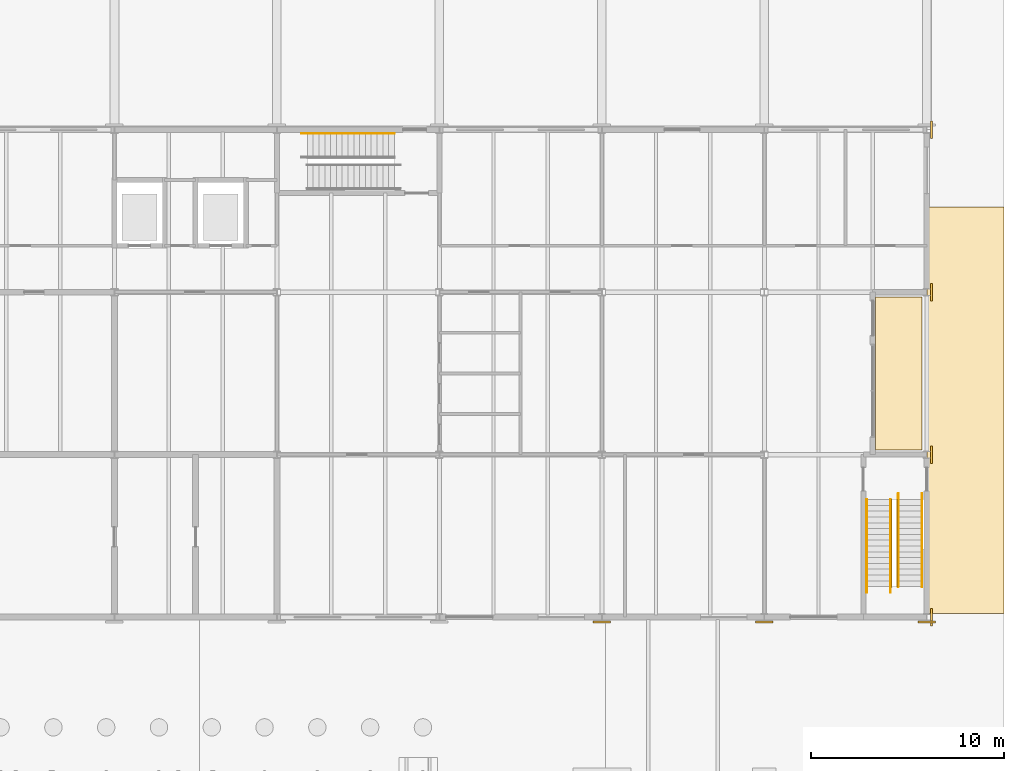
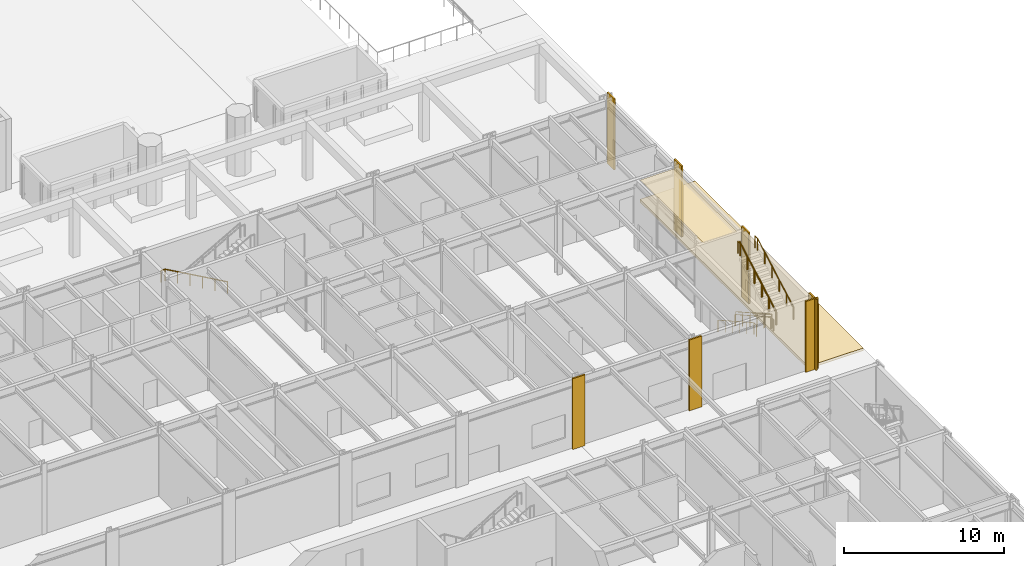
# One storey, part 112 of 127: 9 coverings, 7 railings.
"""IFC4 building model written with IfcOpenShell, lengths in metres."""

from ifc_helpers import new_model, si_unit, direction, frame, origin, origin_2d, place, context, subcontext, project, spatial, polyline, rectangle, circle, outline, extrude, material, layer, layer_set, type_object, element, save


model = new_model("IFC4")

# Units and contexts
model_context = context("Model", 3, precision=1e-05, world=origin(), true_north=direction((0.0, 1.0)))
body_context = subcontext(model_context, "Body", "Model", "MODEL_VIEW")
ifc_project = project(units=[si_unit("LENGTHUNIT", "METRE"), si_unit("AREAUNIT", "SQUARE_METRE"), si_unit("VOLUMEUNIT", "CUBIC_METRE"), si_unit("PLANEANGLEUNIT", "RADIAN"), si_unit("MASSUNIT", "GRAM", prefix="KILO")], contexts=[model_context])

# Site, building, storey
site_placement = place(None, origin())
site = spatial("IfcSite", under=ifc_project, at=site_placement, CompositionType="ELEMENT")
building_placement = place(site_placement, origin())
building = spatial("IfcBuilding", under=site, at=building_placement, Name="Ljudholm Concert House", CompositionType="ELEMENT")
storey_placement = place(building_placement, origin())
storey = spatial("IfcBuildingStorey", under=building, at=storey_placement, Name="L00", CompositionType="ELEMENT", Elevation=0.0)

# Covering
ifc_material_1 = material(Name="Aluminium extrusion with timber-grain PVDF finish", Category="aluminium")
ifc_layer_1 = layer(ifc_material_1, 0.030029296875)
ifc_layer_set_1 = layer_set([ifc_layer_1], Name="Aluminium extrusion with timber-grain PVDF finish")
covering_type_1 = type_object("IfcCoveringType", Name="ALUMINIUM EXTRUSION WITH TIMBER-GRAIN PVDF FINISH CEILING 30", PredefinedType="CEILING", material=ifc_layer_set_1)
covering_1_placement = place(storey_placement, frame((0.0, 0.0, 5.18994140625)))
element("IfcCovering", 1, at=covering_1_placement, inside=storey, type_object=covering_type_1, Name="Porch soffit", PredefinedType="CEILING", context=body_context, shape_type="SweptSolid", body=[
    extrude(outline(polyline([(118.949951171875, 113.449951171875), (121.35009765625, 113.449951171875), (121.35009765625, 121.35009765625), (118.949951171875, 121.35009765625), (118.949951171875, 113.449951171875)])), origin(), (0.0, 0.0, 1.0), 0.030029296875),
])

# Railings
ifc_material_2 = material(Name="Steel ASTM A36", Category="steel")
railing_type_1 = type_object("IfcRailingType", Name="GUARD 1100", PredefinedType="GUARDRAIL", material=ifc_material_2)
railing_1_placement = place(storey_placement, frame((119.77490234375, 110.875, 0.168701171875)))
element("IfcRailing", 2, at=railing_1_placement, inside=storey, type_object=railing_type_1, Name="Guard", PredefinedType="GUARDRAIL", context=body_context, shape_type="SweptSolid", body=[
    extrude(circle(Radius=0.02490234375, at=origin_2d()), frame((0.0, 0.0, 1.0751953125), z_axis=(0.0, -0.871512386077, 0.490373491244), x_axis=(1.0, 0.0, 0.0)), (0.0, 0.0, 1.0), 1.032470703125),
    extrude(circle(Radius=0.02490234375, at=origin_2d()), frame((0.0, -0.89990234375, 1.58154296875), z_axis=(0.0, -0.87167022805, 0.49009286215), x_axis=(1.0, 0.0, 0.0)), (0.0, 0.0, 1.0), 1.03271484375),
    extrude(circle(Radius=0.02490234375, at=origin_2d()), frame((0.0, -1.800048828125, 2.08740234375), z_axis=(0.0, -0.871512386077, 0.490373491244), x_axis=(1.0, 0.0, 0.0)), (0.0, 0.0, 1.0), 1.032470703125),
    extrude(circle(Radius=0.02490234375, at=origin_2d()), frame((0.0, -2.699951171875, 2.59375), z_axis=(0.0, -0.871569223971, 0.490272462847), x_axis=(1.0, 0.0, 0.0)), (0.0, 0.0, 1.0), 1.03271484375),
    extrude(circle(Radius=0.02490234375, at=origin_2d()), frame((0.0, -3.60009765625, 3.10009765625), z_axis=(0.0, -0.871613425205, 0.490193876953), x_axis=(1.0, 0.0, 0.0)), (0.0, 0.0, 1.0), 1.032470703125),
    extrude(circle(Radius=0.02099609375, at=origin_2d()), origin(), (0.0, 0.0, 1.0), 1.050048828125),
    extrude(circle(Radius=0.02099609375, at=origin_2d()), frame((0.0, -0.89990234375, 0.50634765625)), (0.0, 0.0, 1.0), 1.050048828125),
    extrude(circle(Radius=0.02099609375, at=origin_2d()), frame((0.0, -1.800048828125, 1.012451171875)), (0.0, 0.0, 1.0), 1.050048828125),
    extrude(circle(Radius=0.02099609375, at=origin_2d()), frame((0.0, -2.699951171875, 1.518798828125)), (0.0, 0.0, 1.0), 1.050048828125),
    extrude(circle(Radius=0.02099609375, at=origin_2d()), frame((0.0, -3.60009765625, 2.025146484375)), (0.0, 0.0, 1.0), 1.050048828125),
    extrude(circle(Radius=0.02099609375, at=origin_2d()), frame((0.0, -4.5, 2.53125)), (0.0, 0.0, 1.0), 1.050048828125),
])
railing_2_placement = place(storey_placement, frame((120.074951171875, 106.375, 2.86865234375)))
element("IfcRailing", 3, at=railing_2_placement, inside=storey, type_object=railing_type_1, Name="Guard", PredefinedType="GUARDRAIL", context=body_context, shape_type="SweptSolid", body=[
    extrude(circle(Radius=0.02490234375, at=origin_2d()), frame((0.0, 0.0, 1.0751953125), z_axis=(0.0, 0.871512386077, 0.490373491244), x_axis=(-1.0, 0.0, 0.0)), (0.0, 0.0, 1.0), 1.032470703125),
    extrude(circle(Radius=0.02490234375, at=origin_2d()), frame((0.0, 0.89990234375, 1.58154296875), z_axis=(0.0, 0.871569223971, 0.490272462847), x_axis=(-1.0, 0.0, 0.0)), (0.0, 0.0, 1.0), 1.03271484375),
    extrude(circle(Radius=0.02490234375, at=origin_2d()), frame((0.0, 1.800048828125, 2.087890625), z_axis=(0.0, 0.871613425205, 0.490193876953), x_axis=(-1.0, 0.0, 0.0)), (0.0, 0.0, 1.0), 1.032470703125),
    extrude(circle(Radius=0.02490234375, at=origin_2d()), frame((0.0, 2.699951171875, 2.59375), z_axis=(0.0, 0.871569223971, 0.490272462847), x_axis=(-1.0, 0.0, 0.0)), (0.0, 0.0, 1.0), 1.03271484375),
    extrude(circle(Radius=0.02490234375, at=origin_2d()), frame((0.0, 3.60009765625, 3.10009765625), z_axis=(0.0, 0.871613425205, 0.490193876953), x_axis=(-1.0, 0.0, 0.0)), (0.0, 0.0, 1.0), 1.032470703125),
    extrude(circle(Radius=0.02099609375, at=origin_2d()), origin(), (0.0, 0.0, 1.0), 1.050048828125),
    extrude(circle(Radius=0.02099609375, at=origin_2d()), frame((0.0, 0.89990234375, 0.50634765625)), (0.0, 0.0, 1.0), 1.050048828125),
    extrude(circle(Radius=0.02099609375, at=origin_2d()), frame((0.0, 1.800048828125, 1.0126953125)), (0.0, 0.0, 1.0), 1.050048828125),
    extrude(circle(Radius=0.02099609375, at=origin_2d()), frame((0.0, 2.699951171875, 1.518798828125)), (0.0, 0.0, 1.0), 1.050048828125),
    extrude(circle(Radius=0.02099609375, at=origin_2d()), frame((0.0, 3.60009765625, 2.025146484375)), (0.0, 0.0, 1.0), 1.050048828125),
    extrude(circle(Radius=0.02099609375, at=origin_2d()), frame((0.0, 4.5, 2.53125)), (0.0, 0.0, 1.0), 1.050048828125),
])
ifc_material_3 = material(Name="Steel ASTM A36", Category="steel")
railing_type_2 = type_object("IfcRailingType", Name="HANDRAIL 900", PredefinedType="HANDRAIL", material=ifc_material_3)
railing_3_placement = place(storey_placement, frame((94.074951171875, 129.800048828125, 0.168701171875)))
element("IfcRailing", 4, at=railing_3_placement, inside=storey, type_object=railing_type_2, Name="Handrail", PredefinedType="HANDRAIL", context=body_context, shape_type="SweptSolid", body=[
    extrude(circle(Radius=0.0224609375, at=origin_2d()), frame((0.0, 0.0, 0.87744140625), z_axis=(-0.871512386077, 0.0, 0.490373491244), x_axis=(0.0, -1.0, 0.0)), (0.0, 0.0, 1.0), 1.032470703125),
    extrude(circle(Radius=0.0224609375, at=origin_2d()), frame((-0.89990234375, 0.0, 1.3837890625), z_axis=(-0.87167022805, 0.0, 0.49009286215), x_axis=(0.0, -1.0, 0.0)), (0.0, 0.0, 1.0), 1.03271484375),
    extrude(circle(Radius=0.0224609375, at=origin_2d()), frame((-1.800048828125, 0.0, 1.889892578125), z_axis=(-0.871512386077, 0.0, 0.490373491244), x_axis=(0.0, -1.0, 0.0)), (0.0, 0.0, 1.0), 1.032470703125),
    extrude(circle(Radius=0.0224609375, at=origin_2d()), frame((-2.699951171875, 0.0, 2.396240234375), z_axis=(-0.871512386077, 0.0, 0.490373491244), x_axis=(0.0, -1.0, 0.0)), (0.0, 0.0, 1.0), 1.032470703125),
    extrude(circle(Radius=0.0224609375, at=origin_2d()), frame((-3.599853515625, 0.0, 2.902587890625), z_axis=(-0.87167022805, 0.0, 0.49009286215), x_axis=(0.0, -1.0, 0.0)), (0.0, 0.0, 1.0), 1.03271484375),
    extrude(circle(Radius=0.0224609375, at=origin_2d()), frame((-4.5, 0.0, 3.40869140625), z_axis=(-1.0, 0.0, 0.0), x_axis=(0.0, -1.0, 0.0)), (0.0, 0.0, 1.0), 0.300048828125),
    extrude(circle(Radius=0.02099609375, at=origin_2d()), origin(), (0.0, 0.0, 1.0), 0.85498046875),
    extrude(circle(Radius=0.02099609375, at=origin_2d()), frame((-0.89990234375, 0.0, 0.50634765625)), (0.0, 0.0, 1.0), 0.85498046875),
    extrude(circle(Radius=0.02099609375, at=origin_2d()), frame((-1.800048828125, 0.0, 1.012451171875)), (0.0, 0.0, 1.0), 0.85498046875),
    extrude(circle(Radius=0.02099609375, at=origin_2d()), frame((-2.699951171875, 0.0, 1.518798828125)), (0.0, 0.0, 1.0), 0.85498046875),
    extrude(circle(Radius=0.02099609375, at=origin_2d()), frame((-3.599853515625, 0.0, 2.025146484375)), (0.0, 0.0, 1.0), 0.85498046875),
    extrude(circle(Radius=0.02099609375, at=origin_2d()), frame((-4.5, 0.0, 2.53125)), (0.0, 0.0, 1.0), 0.85498046875),
    extrude(circle(Radius=0.02099609375, at=origin_2d()), frame((-4.800048828125, 0.0, 2.53125)), (0.0, 0.0, 1.0), 0.85498046875),
])
railing_4_placement = place(storey_placement, frame((119.72509765625, 110.875, 0.168701171875)))
element("IfcRailing", 5, at=railing_4_placement, inside=storey, type_object=railing_type_2, Name="Handrail", PredefinedType="HANDRAIL", context=body_context, shape_type="SweptSolid", body=[
    extrude(circle(Radius=0.0224609375, at=origin_2d()), frame((0.0, 0.0, 0.87744140625), z_axis=(0.0, -0.871512386077, 0.490373491244), x_axis=(1.0, 0.0, 0.0)), (0.0, 0.0, 1.0), 1.032470703125),
    extrude(circle(Radius=0.0224609375, at=origin_2d()), frame((0.0, -0.89990234375, 1.3837890625), z_axis=(0.0, -0.87167022805, 0.49009286215), x_axis=(1.0, 0.0, 0.0)), (0.0, 0.0, 1.0), 1.03271484375),
    extrude(circle(Radius=0.0224609375, at=origin_2d()), frame((0.0, -1.800048828125, 1.889892578125), z_axis=(0.0, -0.871512386077, 0.490373491244), x_axis=(1.0, 0.0, 0.0)), (0.0, 0.0, 1.0), 1.032470703125),
    extrude(circle(Radius=0.0224609375, at=origin_2d()), frame((0.0, -2.699951171875, 2.396240234375), z_axis=(0.0, -0.871569223971, 0.490272462847), x_axis=(1.0, 0.0, 0.0)), (0.0, 0.0, 1.0), 1.03271484375),
    extrude(circle(Radius=0.0224609375, at=origin_2d()), frame((0.0, -3.60009765625, 2.902587890625), z_axis=(0.0, -0.871613425205, 0.490193876953), x_axis=(1.0, 0.0, 0.0)), (0.0, 0.0, 1.0), 1.032470703125),
    extrude(circle(Radius=0.0224609375, at=origin_2d()), frame((0.0, -4.5, 3.40869140625), z_axis=(0.0, -1.0, 0.0), x_axis=(1.0, 0.0, 0.0)), (0.0, 0.0, 1.0), 0.300048828125),
    extrude(circle(Radius=0.02099609375, at=origin_2d()), origin(), (0.0, 0.0, 1.0), 0.85498046875),
    extrude(circle(Radius=0.02099609375, at=origin_2d()), frame((0.0, -0.89990234375, 0.50634765625)), (0.0, 0.0, 1.0), 0.85498046875),
    extrude(circle(Radius=0.02099609375, at=origin_2d()), frame((0.0, -1.800048828125, 1.012451171875)), (0.0, 0.0, 1.0), 0.85498046875),
    extrude(circle(Radius=0.02099609375, at=origin_2d()), frame((0.0, -2.699951171875, 1.518798828125)), (0.0, 0.0, 1.0), 0.85498046875),
    extrude(circle(Radius=0.02099609375, at=origin_2d()), frame((0.0, -3.60009765625, 2.025146484375)), (0.0, 0.0, 1.0), 0.85498046875),
    extrude(circle(Radius=0.02099609375, at=origin_2d()), frame((0.0, -4.5, 2.53125)), (0.0, 0.0, 1.0), 0.85498046875),
    extrude(circle(Radius=0.02099609375, at=origin_2d()), frame((0.0, -4.800048828125, 2.53125)), (0.0, 0.0, 1.0), 0.85498046875),
])
railing_5_placement = place(storey_placement, frame((118.5, 110.875, 0.168701171875)))
element("IfcRailing", 6, at=railing_5_placement, inside=storey, type_object=railing_type_2, Name="Handrail", PredefinedType="HANDRAIL", context=body_context, shape_type="SweptSolid", body=[
    extrude(circle(Radius=0.0224609375, at=origin_2d()), frame((0.0, 0.0, 0.87744140625), z_axis=(0.0, -0.871512386077, 0.490373491244), x_axis=(1.0, 0.0, 0.0)), (0.0, 0.0, 1.0), 1.032470703125),
    extrude(circle(Radius=0.0224609375, at=origin_2d()), frame((0.0, -0.89990234375, 1.3837890625), z_axis=(0.0, -0.87167022805, 0.49009286215), x_axis=(1.0, 0.0, 0.0)), (0.0, 0.0, 1.0), 1.03271484375),
    extrude(circle(Radius=0.0224609375, at=origin_2d()), frame((0.0, -1.800048828125, 1.889892578125), z_axis=(0.0, -0.871512386077, 0.490373491244), x_axis=(1.0, 0.0, 0.0)), (0.0, 0.0, 1.0), 1.032470703125),
    extrude(circle(Radius=0.0224609375, at=origin_2d()), frame((0.0, -2.699951171875, 2.396240234375), z_axis=(0.0, -0.871569223971, 0.490272462847), x_axis=(1.0, 0.0, 0.0)), (0.0, 0.0, 1.0), 1.03271484375),
    extrude(circle(Radius=0.0224609375, at=origin_2d()), frame((0.0, -3.60009765625, 2.902587890625), z_axis=(0.0, -0.871613425205, 0.490193876953), x_axis=(1.0, 0.0, 0.0)), (0.0, 0.0, 1.0), 1.032470703125),
    extrude(circle(Radius=0.0224609375, at=origin_2d()), frame((0.0, -4.5, 3.40869140625), z_axis=(0.0, -1.0, 0.0), x_axis=(1.0, 0.0, 0.0)), (0.0, 0.0, 1.0), 0.300048828125),
    extrude(circle(Radius=0.02099609375, at=origin_2d()), origin(), (0.0, 0.0, 1.0), 0.85498046875),
    extrude(circle(Radius=0.02099609375, at=origin_2d()), frame((0.0, -0.89990234375, 0.50634765625)), (0.0, 0.0, 1.0), 0.85498046875),
    extrude(circle(Radius=0.02099609375, at=origin_2d()), frame((0.0, -1.800048828125, 1.012451171875)), (0.0, 0.0, 1.0), 0.85498046875),
    extrude(circle(Radius=0.02099609375, at=origin_2d()), frame((0.0, -2.699951171875, 1.518798828125)), (0.0, 0.0, 1.0), 0.85498046875),
    extrude(circle(Radius=0.02099609375, at=origin_2d()), frame((0.0, -3.60009765625, 2.025146484375)), (0.0, 0.0, 1.0), 0.85498046875),
    extrude(circle(Radius=0.02099609375, at=origin_2d()), frame((0.0, -4.5, 2.53125)), (0.0, 0.0, 1.0), 0.85498046875),
    extrude(circle(Radius=0.02099609375, at=origin_2d()), frame((0.0, -4.800048828125, 2.53125)), (0.0, 0.0, 1.0), 0.85498046875),
])
railing_6_placement = place(storey_placement, frame((120.125, 106.375, 2.86865234375)))
element("IfcRailing", 7, at=railing_6_placement, inside=storey, type_object=railing_type_2, Name="Handrail", PredefinedType="HANDRAIL", context=body_context, shape_type="SweptSolid", body=[
    extrude(circle(Radius=0.0224609375, at=origin_2d()), frame((0.0, 0.0, 0.87744140625), z_axis=(0.0, 0.871512386077, 0.490373491244), x_axis=(-1.0, 0.0, 0.0)), (0.0, 0.0, 1.0), 1.032470703125),
    extrude(circle(Radius=0.0224609375, at=origin_2d()), frame((0.0, 0.89990234375, 1.3837890625), z_axis=(0.0, 0.871569223971, 0.490272462847), x_axis=(-1.0, 0.0, 0.0)), (0.0, 0.0, 1.0), 1.03271484375),
    extrude(circle(Radius=0.0224609375, at=origin_2d()), frame((0.0, 1.800048828125, 1.89013671875), z_axis=(0.0, 0.871613425205, 0.490193876953), x_axis=(-1.0, 0.0, 0.0)), (0.0, 0.0, 1.0), 1.032470703125),
    extrude(circle(Radius=0.0224609375, at=origin_2d()), frame((0.0, 2.699951171875, 2.396240234375), z_axis=(0.0, 0.871569223971, 0.490272462847), x_axis=(-1.0, 0.0, 0.0)), (0.0, 0.0, 1.0), 1.03271484375),
    extrude(circle(Radius=0.0224609375, at=origin_2d()), frame((0.0, 3.60009765625, 2.902587890625), z_axis=(0.0, 0.871613425205, 0.490193876953), x_axis=(-1.0, 0.0, 0.0)), (0.0, 0.0, 1.0), 1.032470703125),
    extrude(circle(Radius=0.0224609375, at=origin_2d()), frame((0.0, 4.5, 3.40869140625), z_axis=(0.0, 1.0, 0.0), x_axis=(-1.0, 0.0, 0.0)), (0.0, 0.0, 1.0), 0.300048828125),
    extrude(circle(Radius=0.02099609375, at=origin_2d()), origin(), (0.0, 0.0, 1.0), 0.85498046875),
    extrude(circle(Radius=0.02099609375, at=origin_2d()), frame((0.0, 0.89990234375, 0.50634765625)), (0.0, 0.0, 1.0), 0.85498046875),
    extrude(circle(Radius=0.02099609375, at=origin_2d()), frame((0.0, 1.800048828125, 1.0126953125)), (0.0, 0.0, 1.0), 0.85498046875),
    extrude(circle(Radius=0.02099609375, at=origin_2d()), frame((0.0, 2.699951171875, 1.518798828125)), (0.0, 0.0, 1.0), 0.85498046875),
    extrude(circle(Radius=0.02099609375, at=origin_2d()), frame((0.0, 3.60009765625, 2.025146484375)), (0.0, 0.0, 1.0), 0.85498046875),
    extrude(circle(Radius=0.02099609375, at=origin_2d()), frame((0.0, 4.5, 2.53125)), (0.0, 0.0, 1.0), 0.85498046875),
    extrude(circle(Radius=0.02099609375, at=origin_2d()), frame((0.0, 4.800048828125, 2.53125)), (0.0, 0.0, 1.0), 0.85498046875),
])
railing_7_placement = place(storey_placement, frame((121.35009765625, 106.375, 2.86865234375)))
element("IfcRailing", 8, at=railing_7_placement, inside=storey, type_object=railing_type_2, Name="Handrail", PredefinedType="HANDRAIL", context=body_context, shape_type="SweptSolid", body=[
    extrude(circle(Radius=0.0224609375, at=origin_2d()), frame((0.0, 0.0, 0.87744140625), z_axis=(0.0, 0.871512386077, 0.490373491244), x_axis=(-1.0, 0.0, 0.0)), (0.0, 0.0, 1.0), 1.032470703125),
    extrude(circle(Radius=0.0224609375, at=origin_2d()), frame((0.0, 0.89990234375, 1.3837890625), z_axis=(0.0, 0.871569223971, 0.490272462847), x_axis=(-1.0, 0.0, 0.0)), (0.0, 0.0, 1.0), 1.03271484375),
    extrude(circle(Radius=0.0224609375, at=origin_2d()), frame((0.0, 1.800048828125, 1.89013671875), z_axis=(0.0, 0.871613425205, 0.490193876953), x_axis=(-1.0, 0.0, 0.0)), (0.0, 0.0, 1.0), 1.032470703125),
    extrude(circle(Radius=0.0224609375, at=origin_2d()), frame((0.0, 2.699951171875, 2.396240234375), z_axis=(0.0, 0.871569223971, 0.490272462847), x_axis=(-1.0, 0.0, 0.0)), (0.0, 0.0, 1.0), 1.03271484375),
    extrude(circle(Radius=0.0224609375, at=origin_2d()), frame((0.0, 3.60009765625, 2.902587890625), z_axis=(0.0, 0.871613425205, 0.490193876953), x_axis=(-1.0, 0.0, 0.0)), (0.0, 0.0, 1.0), 1.032470703125),
    extrude(circle(Radius=0.0224609375, at=origin_2d()), frame((0.0, 4.5, 3.40869140625), z_axis=(0.0, 1.0, 0.0), x_axis=(-1.0, 0.0, 0.0)), (0.0, 0.0, 1.0), 0.300048828125),
    extrude(circle(Radius=0.02099609375, at=origin_2d()), origin(), (0.0, 0.0, 1.0), 0.85498046875),
    extrude(circle(Radius=0.02099609375, at=origin_2d()), frame((0.0, 0.89990234375, 0.50634765625)), (0.0, 0.0, 1.0), 0.85498046875),
    extrude(circle(Radius=0.02099609375, at=origin_2d()), frame((0.0, 1.800048828125, 1.0126953125)), (0.0, 0.0, 1.0), 0.85498046875),
    extrude(circle(Radius=0.02099609375, at=origin_2d()), frame((0.0, 2.699951171875, 1.518798828125)), (0.0, 0.0, 1.0), 0.85498046875),
    extrude(circle(Radius=0.02099609375, at=origin_2d()), frame((0.0, 3.60009765625, 2.025146484375)), (0.0, 0.0, 1.0), 0.85498046875),
    extrude(circle(Radius=0.02099609375, at=origin_2d()), frame((0.0, 4.5, 2.53125)), (0.0, 0.0, 1.0), 0.85498046875),
    extrude(circle(Radius=0.02099609375, at=origin_2d()), frame((0.0, 4.800048828125, 2.53125)), (0.0, 0.0, 1.0), 0.85498046875),
])

# Coverings
ifc_material_4 = material(Name="Precast concrete pavers on compacted sand bed", Category="concrete")
ifc_layer_2 = layer(ifc_material_4, 0.199951171875)
ifc_layer_set_2 = layer_set([ifc_layer_2], Name="Precast concrete pavers on compacted sand bed")
covering_type_2 = type_object("IfcCoveringType", Name="PRECAST CONCRETE PAVERS ON COMPACTED SAND BED PAVING 200", PredefinedType="USERDEFINED", material=ifc_layer_set_2)
covering_2_placement = place(storey_placement, frame((0.0, 0.0, -0.199951171875)))
element("IfcCovering", 9, at=covering_2_placement, inside=storey, type_object=covering_type_2, Name="Paving", ObjectType="PAVING", PredefinedType="USERDEFINED", context=body_context, shape_type="SweptSolid", body=[
    extrude(outline(polyline([(125.590087890625, 105.0), (121.60009765625, 105.0), (121.60009765625, 126.0), (125.590087890625, 126.0), (125.590087890625, 105.0)])), origin(), (0.0, 0.0, 1.0), 0.199951171875),
])
ifc_material_5 = material(Name="Precast concrete, limestone aggregate", Category="masonry")
ifc_layer_3 = layer(ifc_material_5, 0.110107421875)
ifc_layer_set_3 = layer_set([ifc_layer_3], Name="Precast concrete, limestone aggregate")
covering_type_3 = type_object("IfcCoveringType", Name="PRECAST CONCRETE, LIMESTONE AGGREGATE CLADDING 110", PredefinedType="CLADDING", material=ifc_layer_set_3)
for number, where, z_axis, x_axis, name in (
    (10, (121.844970703125, 104.800048828125, 0.0), (0.0, 0.0, 1.0), (1.0, 0.0, 0.0), "Pilaster cladding"),
    (11, (121.844970703125, 113.199951171875, 0.0), (0.0, 0.0, 1.0), (1.0, 0.0, 0.0), "Pilaster cladding"),
    (12, (121.844970703125, 121.60009765625, 0.0), (0.0, 0.0, 1.0), (1.0, 0.0, 0.0), "Pilaster cladding"),
    (13, (121.844970703125, 130.0, 0.0), (0.0, 0.0, 1.0), (1.0, 0.0, 0.0), "Pilaster cladding"),
    (14, (104.800048828125, 104.554931640625, 0.0), (0.0, 0.0, 1.0), (0.0, -1.0, 0.0), "Pilaster cladding"),
    (15, (113.199951171875, 104.554931640625, 0.0), (0.0, 0.0, 1.0), (0.0, -1.0, 0.0), "Pilaster cladding"),
    (16, (121.60009765625, 104.554931640625, 0.0), (0.0, 0.0, 1.0), (0.0, -1.0, 0.0), "Pilaster cladding"),
):
    element("IfcCovering", number, at=place(storey_placement, frame(where, z_axis=z_axis, x_axis=x_axis)), inside=storey, type_object=covering_type_3, Name=name, PredefinedType="CLADDING", context=body_context, shape_type="SweptSolid", body=[
        extrude(rectangle(XDim=0.110107421875, YDim=0.89990234375, at=origin_2d()), origin(), (0.0, 0.0, 1.0), 5.39990234375),
    ])

save(model, "model.ifc")
